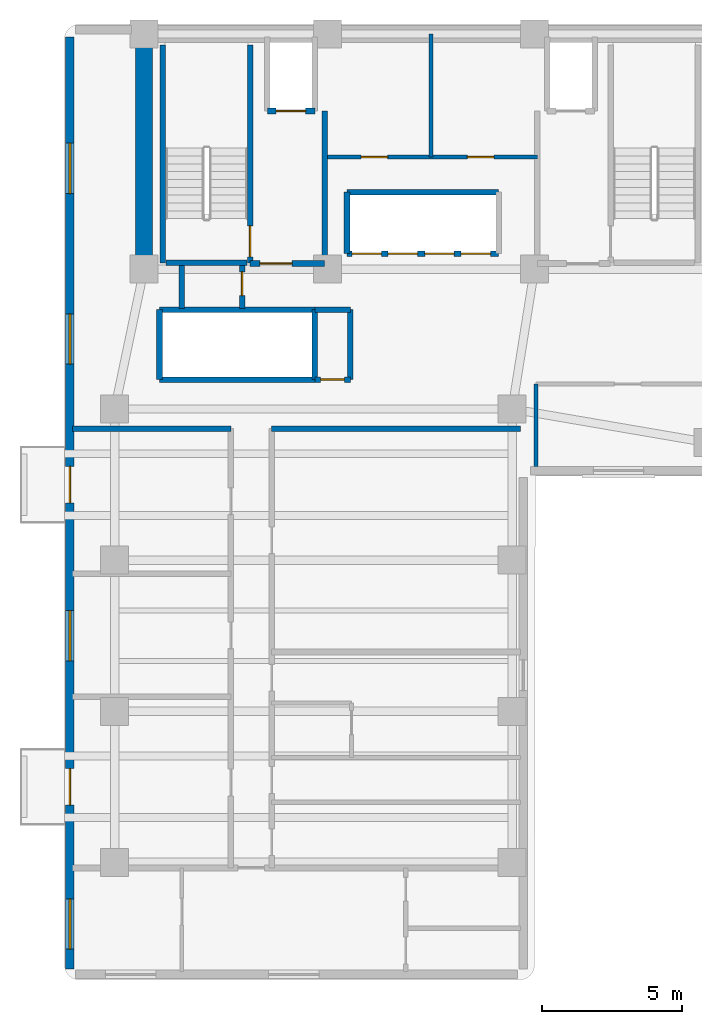
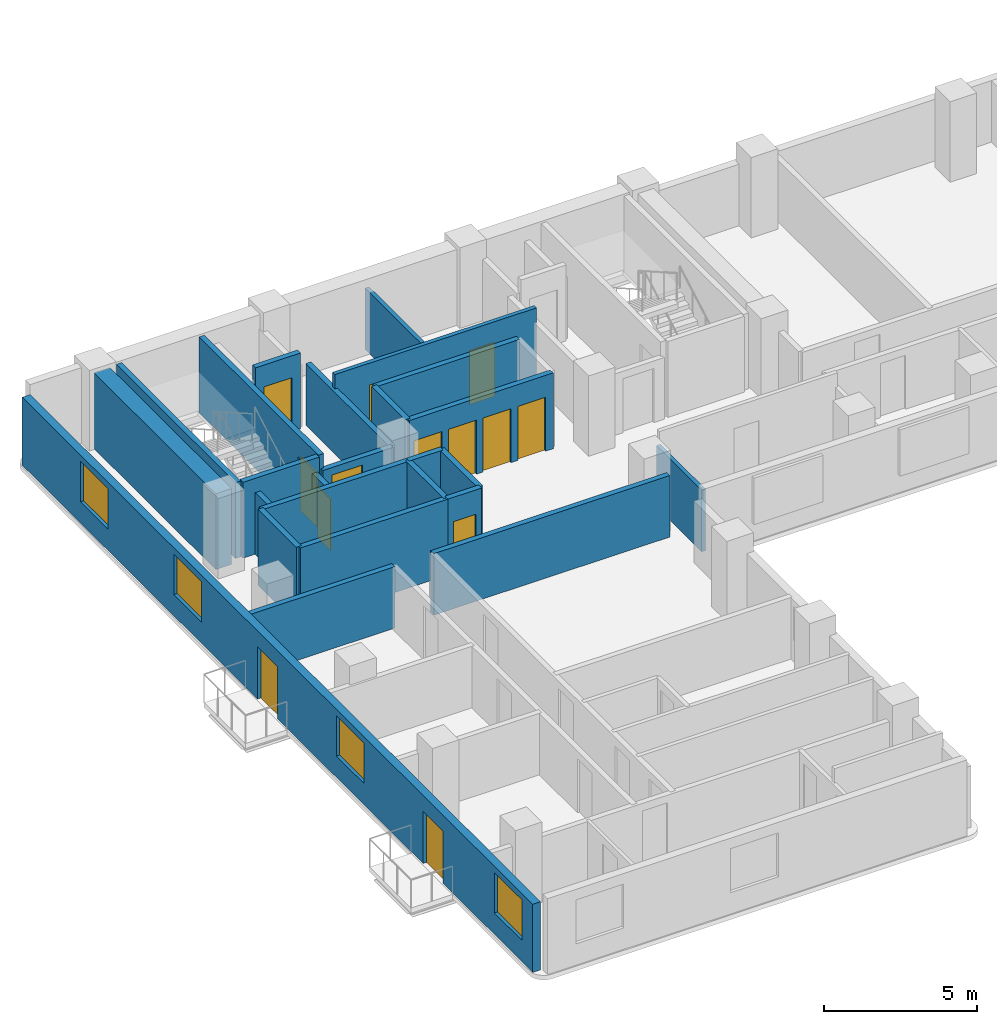
# One storey, part 3 of 7: 25 walls, 13 doors, 4 windows, 17 openings.
"""IFC4 building model written with IfcOpenShell, lengths in metres."""

from ifc_helpers import new_model, si_unit, direction, frame, frame_2d, origin, place, context, subcontext, project, spatial, rectangle, extrude, material, layer, layer_set, type_object, element, fill, save


model = new_model("IFC4")

# Units and contexts
model_context = context("Model", 3, precision=1e-05, world=origin(), true_north=direction((0.0, 1.0)))
body_context = subcontext(model_context, "Body", "Model", "MODEL_VIEW")
ifc_project = project(units=[si_unit("LENGTHUNIT", "METRE"), si_unit("AREAUNIT", "SQUARE_METRE"), si_unit("VOLUMEUNIT", "CUBIC_METRE"), si_unit("PLANEANGLEUNIT", "RADIAN"), si_unit("MASSUNIT", "GRAM", prefix="KILO")], contexts=[model_context])

# Site, building, storey
site_placement = place(None, origin())
site = spatial("IfcSite", under=ifc_project, at=site_placement, CompositionType="ELEMENT")
building_placement = place(site_placement, origin())
building = spatial("IfcBuilding", under=site, at=building_placement, Name="Kuzgunbayir Cultural Tower", CompositionType="ELEMENT")
storey_placement = place(building_placement, frame((0.0, 0.0, 129.800048828125)))
storey = spatial("IfcBuildingStorey", under=building, at=storey_placement, Name="L37", CompositionType="ELEMENT", Elevation=129.800048828125)

# Wall
ifc_material_1 = material(Name="Concrete C60/75", Category="concrete")
ifc_layer_1 = layer(ifc_material_1, 0.60009765625)
ifc_layer_set_1 = layer_set([ifc_layer_1], Name="Concrete C60/75")
wall_type_1 = type_object("IfcWallType", Name="WAL-CORE-600", PredefinedType="SHEAR", material=ifc_layer_set_1)
wall_1_placement = place(storey_placement, frame((6.449951171875, 33.800048828125, 0.0), z_axis=(0.0, 0.0, 1.0), x_axis=(0.0, 1.0, 0.0)))
element("IfcWall", 1, at=wall_1_placement, inside=storey, type_object=wall_type_1, Name="L37 T1 Core West Shear Wall", PredefinedType="SHEAR", context=body_context, shape_type="SweptSolid", body=[
    extrude(rectangle(XDim=7.949951171875, YDim=0.60009765625, at=frame_2d((3.97509765625, 0.0))), origin(), (0.0, 0.0, 1.0), 3.02001953125),
])

# Wall, openings, doors, windows
ifc_material_2 = material(Name="Anatolian Cream Limestone", Category="masonry")
ifc_layer_2 = layer(ifc_material_2, 0.300048828125)
ifc_layer_set_2 = layer_set([ifc_layer_2], Name="Anatolian Cream Limestone")
wall_type_2 = type_object("IfcWallType", Name="WAL-EXT-STONE-300", PredefinedType="STANDARD", material=ifc_layer_set_2)
wall_2_placement = place(storey_placement, frame((3.800048828125, 42.10009765625, 0.0), z_axis=(0.0, 0.0, 1.0), x_axis=(0.0, -1.0, 0.0)))
wall_2 = element("IfcWall", 2, at=wall_2_placement, inside=storey, type_object=wall_type_2, Name="L37 Wing A West Limestone Wall", PredefinedType="STANDARD", context=body_context, shape_type="SweptSolid", body=[
    extrude(rectangle(XDim=33.300048828125, YDim=0.300048828125, at=frame_2d((16.64990234375, 0.0))), origin(), (0.0, 0.0, 1.0), 2.7099609375),
])
opening_1_placement = place(wall_2_placement, frame((26.14990234375, 0.0, 0.0)))
opening_1 = element("IfcOpeningElement", 3, at=opening_1_placement, cuts=wall_2, Name="Opening BD-13", PredefinedType="OPENING", context=body_context, shape_type="SweptSolid", body=[
    extrude(rectangle(XDim=1.300048828125, YDim=2.080078125, at=frame_2d((0.64990234375, 1.0400390625))), frame((0.0, 0.16015625, 0.0), z_axis=(0.0, -1.0, 0.0), x_axis=(1.0, 0.0, 0.0)), (0.0, 0.0, 1.0), 0.320068359375),
])
opening_2_placement = place(wall_2_placement, frame((15.35009765625, 0.0, 0.0)))
opening_2 = element("IfcOpeningElement", 4, at=opening_2_placement, cuts=wall_2, Name="Opening BD-13", PredefinedType="OPENING", context=body_context, shape_type="SweptSolid", body=[
    extrude(rectangle(XDim=1.300048828125, YDim=2.080078125, at=frame_2d((0.64990234375, 1.0400390625))), frame((0.0, 0.16015625, 0.0), z_axis=(0.0, -1.0, 0.0), x_axis=(1.0, 0.0, 0.0)), (0.0, 0.0, 1.0), 0.320068359375),
])
opening_3_placement = place(wall_2_placement, frame((30.800048828125, 0.0, 0.85009765625)))
opening_3 = element("IfcOpeningElement", 5, at=opening_3_placement, cuts=wall_2, Name="Opening WH-18", PredefinedType="OPENING", context=body_context, shape_type="SweptSolid", body=[
    extrude(rectangle(XDim=1.800048828125, YDim=1.610107421875, at=frame_2d((0.89990234375, 0.80517578125))), frame((0.0, 0.16015625, 0.0), z_axis=(0.0, -1.0, 0.0), x_axis=(1.0, 0.0, 0.0)), (0.0, 0.0, 1.0), 0.320068359375),
])
opening_4_placement = place(wall_2_placement, frame((20.5, 0.0, 0.85009765625)))
opening_4 = element("IfcOpeningElement", 6, at=opening_4_placement, cuts=wall_2, Name="Opening WH-18", PredefinedType="OPENING", context=body_context, shape_type="SweptSolid", body=[
    extrude(rectangle(XDim=1.800048828125, YDim=1.610107421875, at=frame_2d((0.89990234375, 0.80517578125))), frame((0.0, 0.16015625, 0.0), z_axis=(0.0, -1.0, 0.0), x_axis=(1.0, 0.0, 0.0)), (0.0, 0.0, 1.0), 0.320068359375),
])
opening_5_placement = place(wall_2_placement, frame((9.89990234375, 0.0, 0.85009765625)))
opening_5 = element("IfcOpeningElement", 7, at=opening_5_placement, cuts=wall_2, Name="Opening WH-18", PredefinedType="OPENING", context=body_context, shape_type="SweptSolid", body=[
    extrude(rectangle(XDim=1.800048828125, YDim=1.610107421875, at=frame_2d((0.89990234375, 0.80517578125))), frame((0.0, 0.16015625, 0.0), z_axis=(0.0, -1.0, 0.0), x_axis=(1.0, 0.0, 0.0)), (0.0, 0.0, 1.0), 0.320068359375),
])
opening_6_placement = place(wall_2_placement, frame((3.800048828125, 0.0, 0.85009765625)))
opening_6 = element("IfcOpeningElement", 8, at=opening_6_placement, cuts=wall_2, Name="Opening WH-18", PredefinedType="OPENING", context=body_context, shape_type="SweptSolid", body=[
    extrude(rectangle(XDim=1.800048828125, YDim=1.610107421875, at=frame_2d((0.89990234375, 0.80517578125))), frame((0.0, 0.16015625, 0.0), z_axis=(0.0, -1.0, 0.0), x_axis=(1.0, 0.0, 0.0)), (0.0, 0.0, 1.0), 0.320068359375),
])
ifc_material_3 = material(Name="Thermally Broken Glazed Aluminium", Category="aluminium")
door_type_1 = type_object("IfcDoorType", Name="DR-BALCONY-135", OperationType="SLIDING_TO_LEFT", PredefinedType="DOOR", material=ifc_material_3)
door_1_placement = place(opening_1_placement, origin())
door_1 = element("IfcDoor", 9, at=door_1_placement, inside=storey, type_object=door_type_1, Name="L37 West Balcony Sliding Door BAL-L37-WA1", OperationType="SLIDING_TO_LEFT", OverallHeight=2.080078125, OverallWidth=1.300048828125, PredefinedType="DOOR", context=body_context, shape_type="SweptSolid", body=[
    extrude(rectangle(XDim=1.300048828125, YDim=2.080078125, at=frame_2d((0.64990234375, 1.0400390625))), frame((0.0, 0.02490234375, 0.0), z_axis=(0.0, -1.0, 0.0), x_axis=(1.0, 0.0, 0.0)), (0.0, 0.0, 1.0), 0.050048828125),
])
fill(opening_1, door_1)
door_2_placement = place(opening_2_placement, origin())
door_2 = element("IfcDoor", 10, at=door_2_placement, inside=storey, type_object=door_type_1, Name="L37 West Balcony Sliding Door BAL-L37-WA3", OperationType="SLIDING_TO_LEFT", OverallHeight=2.080078125, OverallWidth=1.300048828125, PredefinedType="DOOR", context=body_context, shape_type="SweptSolid", body=[
    extrude(rectangle(XDim=1.300048828125, YDim=2.080078125, at=frame_2d((0.64990234375, 1.0400390625))), frame((0.0, 0.02490234375, 0.0), z_axis=(0.0, -1.0, 0.0), x_axis=(1.0, 0.0, 0.0)), (0.0, 0.0, 1.0), 0.050048828125),
])
fill(opening_2, door_2)
ifc_material_4 = material(Name="Solar-Control Triple Glazing", Category="glass")
window_type = type_object("IfcWindowType", Name="WIN-HOTEL-18", PartitioningType="SINGLE_PANEL", PredefinedType="WINDOW", material=ifc_material_4)
window_1_placement = place(opening_3_placement, origin())
window_1 = element("IfcWindow", 11, at=window_1_placement, inside=storey, type_object=window_type, Name="L37 WAW Facade Window 6", OverallHeight=1.610107421875, OverallWidth=1.800048828125, PartitioningType="SINGLE_PANEL", PredefinedType="WINDOW", context=body_context, shape_type="SweptSolid", body=[
    extrude(rectangle(XDim=1.800048828125, YDim=1.610107421875, at=frame_2d((0.89990234375, 0.80517578125))), frame((0.0, 0.030029296875, 0.0), z_axis=(0.0, -1.0, 0.0), x_axis=(1.0, 0.0, 0.0)), (0.0, 0.0, 1.0), 0.06005859375),
])
fill(opening_3, window_1)
window_2_placement = place(opening_4_placement, origin())
window_2 = element("IfcWindow", 12, at=window_2_placement, inside=storey, type_object=window_type, Name="L37 WAW Facade Window 7", OverallHeight=1.610107421875, OverallWidth=1.800048828125, PartitioningType="SINGLE_PANEL", PredefinedType="WINDOW", context=body_context, shape_type="SweptSolid", body=[
    extrude(rectangle(XDim=1.800048828125, YDim=1.610107421875, at=frame_2d((0.89990234375, 0.80517578125))), frame((0.0, 0.030029296875, 0.0), z_axis=(0.0, -1.0, 0.0), x_axis=(1.0, 0.0, 0.0)), (0.0, 0.0, 1.0), 0.06005859375),
])
fill(opening_4, window_2)
window_3_placement = place(opening_5_placement, origin())
window_3 = element("IfcWindow", 13, at=window_3_placement, inside=storey, type_object=window_type, Name="L37 WAW Facade Window 8", OverallHeight=1.610107421875, OverallWidth=1.800048828125, PartitioningType="SINGLE_PANEL", PredefinedType="WINDOW", context=body_context, shape_type="SweptSolid", body=[
    extrude(rectangle(XDim=1.800048828125, YDim=1.610107421875, at=frame_2d((0.89990234375, 0.80517578125))), frame((0.0, 0.030029296875, 0.0), z_axis=(0.0, -1.0, 0.0), x_axis=(1.0, 0.0, 0.0)), (0.0, 0.0, 1.0), 0.06005859375),
])
fill(opening_5, window_3)
window_4_placement = place(opening_6_placement, origin())
window_4 = element("IfcWindow", 14, at=window_4_placement, inside=storey, type_object=window_type, Name="L37 WAW Facade Window 9", OverallHeight=1.610107421875, OverallWidth=1.800048828125, PartitioningType="SINGLE_PANEL", PredefinedType="WINDOW", context=body_context, shape_type="SweptSolid", body=[
    extrude(rectangle(XDim=1.800048828125, YDim=1.610107421875, at=frame_2d((0.89990234375, 0.80517578125))), frame((0.0, 0.030029296875, 0.0), z_axis=(0.0, -1.0, 0.0), x_axis=(1.0, 0.0, 0.0)), (0.0, 0.0, 1.0), 0.06005859375),
])
fill(opening_6, window_4)

# Wall, openings, doors
ifc_material_5 = material(Name="Acoustic Double-Stud Drywall", Category="gypsum")
ifc_layer_3 = layer(ifc_material_5, 0.14990234375)
ifc_layer_set_3 = layer_set([ifc_layer_3], Name="Acoustic Double-Stud Drywall")
wall_type_3 = type_object("IfcWallType", Name="WAL-PART-ACOUSTIC-150", PredefinedType="PARTITIONING", material=ifc_layer_set_3)
wall_3_placement = place(storey_placement, frame((12.89990234375, 37.800048828125, 0.0), z_axis=(0.0, 0.0, 1.0), x_axis=(1.0, 0.0, 0.0)))
wall_3 = element("IfcWall", 15, at=wall_3_placement, inside=storey, type_object=wall_type_3, Name="L37 Repurposed Core Suite Wall", PredefinedType="PARTITIONING", context=body_context, shape_type="SweptSolid", body=[
    extrude(rectangle(XDim=7.60009765625, YDim=0.14990234375, at=frame_2d((3.800048828125, 0.0))), origin(), (0.0, 0.0, 1.0), 3.02001953125),
])
opening_7_placement = place(wall_3_placement, frame((1.300048828125, 0.0, 0.0)))
opening_7 = element("IfcOpeningElement", 16, at=opening_7_placement, cuts=wall_3, Name="Opening DC-95", PredefinedType="OPENING", context=body_context, shape_type="SweptSolid", body=[
    extrude(rectangle(XDim=0.949951171875, YDim=2.14990234375, at=frame_2d((0.47509765625, 1.074951171875))), frame((0.0, 0.0849609375, 0.0), z_axis=(0.0, -1.0, 0.0), x_axis=(1.0, 0.0, 0.0)), (0.0, 0.0, 1.0), 0.169921875),
])
opening_8_placement = place(wall_3_placement, frame((5.10009765625, 0.0, 0.0)))
opening_8 = element("IfcOpeningElement", 17, at=opening_8_placement, cuts=wall_3, Name="Opening DC-95", PredefinedType="OPENING", context=body_context, shape_type="SweptSolid", body=[
    extrude(rectangle(XDim=0.949951171875, YDim=2.14990234375, at=frame_2d((0.47509765625, 1.074951171875))), frame((0.0, 0.0849609375, 0.0), z_axis=(0.0, -1.0, 0.0), x_axis=(1.0, 0.0, 0.0)), (0.0, 0.0, 1.0), 0.169921875),
])
ifc_material_6 = material(Name="Fire-Rated Veneered Oak Leaf", Category="wood")
door_type_2 = type_object("IfcDoorType", Name="DR-CORE-95", OperationType="NOTDEFINED", PredefinedType="DOOR", material=ifc_material_6)
door_3_placement = place(opening_7_placement, origin())
door_3 = element("IfcDoor", 18, at=door_3_placement, inside=storey, type_object=door_type_2, Name="L37 Focus Room Door", OperationType="SINGLE_SWING_LEFT", OverallHeight=2.14990234375, OverallWidth=0.949951171875, PredefinedType="DOOR", context=body_context, shape_type="SweptSolid", body=[
    extrude(rectangle(XDim=0.949951171875, YDim=2.14990234375, at=frame_2d((0.47509765625, 1.074951171875))), frame((0.0, 0.02490234375, 0.0), z_axis=(0.0, -1.0, 0.0), x_axis=(1.0, 0.0, 0.0)), (0.0, 0.0, 1.0), 0.050048828125),
])
fill(opening_7, door_3)
door_4_placement = place(opening_8_placement, origin())
door_4 = element("IfcDoor", 19, at=door_4_placement, inside=storey, type_object=door_type_2, Name="L37 Core Linen Room Door", OperationType="SINGLE_SWING_RIGHT", OverallHeight=2.14990234375, OverallWidth=0.949951171875, PredefinedType="DOOR", context=body_context, shape_type="SweptSolid", body=[
    extrude(rectangle(XDim=0.949951171875, YDim=2.14990234375, at=frame_2d((0.47509765625, 1.074951171875))), frame((0.0, 0.02490234375, 0.0), z_axis=(0.0, -1.0, 0.0), x_axis=(1.0, 0.0, 0.0)), (0.0, 0.0, 1.0), 0.050048828125),
])
fill(opening_8, door_4)

# Walls
wall_4_placement = place(storey_placement, frame((16.699951171875, 37.800048828125, 0.0), z_axis=(0.0, 0.0, 1.0), x_axis=(0.0, 1.0, 0.0)))
element("IfcWall", 20, at=wall_4_placement, inside=storey, type_object=wall_type_3, Name="L37 Core Study Partition", PredefinedType="PARTITIONING", context=body_context, shape_type="SweptSolid", body=[
    extrude(rectangle(XDim=4.39990234375, YDim=0.14990234375, at=frame_2d((2.199951171875, 0.0))), origin(), (0.0, 0.0, 1.0), 2.449951171875),
])
wall_5_placement = place(storey_placement, frame((20.449951171875, 26.75, 0.0), z_axis=(0.0, 0.0, 1.0), x_axis=(0.0, 1.0, 0.0)))
element("IfcWall", 21, at=wall_5_placement, inside=storey, type_object=wall_type_3, Name="L37 Waist Alcove West Wall", PredefinedType="PARTITIONING", context=body_context, shape_type="SweptSolid", body=[
    extrude(rectangle(XDim=2.949951171875, YDim=0.14990234375, at=frame_2d((1.47509765625, 0.0))), origin(), (0.0, 0.0, 1.0), 2.449951171875),
])
ifc_material_7 = material(Name="Aerated Concrete Blockwork", Category="masonry")
ifc_layer_4 = layer(ifc_material_7, 0.199951171875)
ifc_layer_set_4 = layer_set([ifc_layer_4], Name="Aerated Concrete Blockwork")
wall_type_4 = type_object("IfcWallType", Name="WAL-PART-FIRE-200", PredefinedType="PARTITIONING", material=ifc_layer_set_4)
wall_6_placement = place(storey_placement, frame((12.89990234375, 34.0, 0.0), z_axis=(0.0, 0.0, 1.0), x_axis=(0.0, 1.0, 0.0)))
element("IfcWall", 22, at=wall_6_placement, inside=storey, type_object=wall_type_4, Name="L37 FFL-1 Lobby East Fire Wall", PredefinedType="PARTITIONING", context=body_context, shape_type="SweptSolid", body=[
    extrude(rectangle(XDim=5.449951171875, YDim=0.199951171875, at=frame_2d((2.72509765625, 0.0))), origin(), (0.0, 0.0, 1.0), 2.449951171875),
])

# Wall, opening, door
wall_7_placement = place(storey_placement, frame((10.239990234375, 34.0, 0.0), z_axis=(0.0, 0.0, 1.0), x_axis=(1.0, 0.0, 0.0)))
wall_7 = element("IfcWall", 23, at=wall_7_placement, inside=storey, type_object=wall_type_4, Name="L37 FFL-1 Lobby South Fire Wall", PredefinedType="PARTITIONING", context=body_context, shape_type="SweptSolid", body=[
    extrude(rectangle(XDim=2.659912109375, YDim=0.199951171875, at=frame_2d((1.330078125, 0.0))), origin(), (0.0, 0.0, 1.0), 2.449951171875),
])
opening_9_placement = place(wall_7_placement, frame((0.35009765625, 0.0, 0.0)))
opening_9 = element("IfcOpeningElement", 24, at=opening_9_placement, cuts=wall_7, Name="Opening DR-FFL-90", PredefinedType="OPENING", context=body_context, shape_type="SweptSolid", body=[
    extrude(rectangle(XDim=1.14990234375, YDim=2.14990234375, at=frame_2d((0.574951171875, 1.074951171875))), frame((0.0, 0.10986328125, 0.0), z_axis=(0.0, -1.0, 0.0), x_axis=(1.0, 0.0, 0.0)), (0.0, 0.0, 1.0), 0.219970703125),
])
ifc_material_8 = material(Name="Steel S355J2", Category="steel")
door_type_3 = type_object("IfcDoorType", Name="DR-FFL-90", OperationType="NOTDEFINED", PredefinedType="DOOR", material=ifc_material_8)
door_5_placement = place(opening_9_placement, origin())
door_5 = element("IfcDoor", 25, at=door_5_placement, inside=storey, type_object=door_type_3, Name="L37 Firefighting Lobby 1 Door", OperationType="SINGLE_SWING_LEFT", OverallHeight=2.14990234375, OverallWidth=1.14990234375, PredefinedType="DOOR", context=body_context, shape_type="SweptSolid", body=[
    extrude(rectangle(XDim=1.14990234375, YDim=2.14990234375, at=frame_2d((0.574951171875, 1.074951171875))), frame((0.0, 0.02490234375, 0.0), z_axis=(0.0, -1.0, 0.0), x_axis=(1.0, 0.0, 0.0)), (0.0, 0.0, 1.0), 0.050048828125),
])
fill(opening_9, door_5)

wall_8_placement = place(storey_placement, frame((12.550048828125, 29.85009765625, 0.0), z_axis=(0.0, 0.0, 1.0), x_axis=(1.0, 0.0, 0.0)))
wall_8 = element("IfcWall", 26, at=wall_8_placement, inside=storey, type_object=wall_type_4, Name="L37 Center Core Switchgear South Wall", PredefinedType="PARTITIONING", context=body_context, shape_type="SweptSolid", body=[
    extrude(rectangle(XDim=1.27001953125, YDim=0.199951171875, at=frame_2d((0.635009765625, 0.0))), origin(), (0.0, 0.0, 1.0), 3.02001953125),
])
opening_10_placement = place(wall_8_placement, frame((0.2099609375, 0.0, 0.0)))
opening_10 = element("IfcOpeningElement", 27, at=opening_10_placement, cuts=wall_8, Name="Opening DR-RSR-60", PredefinedType="OPENING", context=body_context, shape_type="SweptSolid", body=[
    extrude(rectangle(XDim=0.85009765625, YDim=2.050048828125, at=frame_2d((0.425048828125, 1.02490234375))), frame((0.0, 0.10986328125, 0.0), z_axis=(0.0, -1.0, 0.0), x_axis=(1.0, 0.0, 0.0)), (0.0, 0.0, 1.0), 0.219970703125),
])
ifc_material_9 = material(Name="Steel Access Leaf", Category="steel")
door_type_4 = type_object("IfcDoorType", Name="DR-RISER-60", OperationType="NOTDEFINED", PredefinedType="DOOR", material=ifc_material_9)
door_6_placement = place(opening_10_placement, origin())
door_6 = element("IfcDoor", 28, at=door_6_placement, inside=storey, type_object=door_type_4, Name="L37 Electrical Switchgear Closet Door", OperationType="SINGLE_SWING_LEFT", OverallHeight=2.050048828125, OverallWidth=0.85009765625, PredefinedType="DOOR", context=body_context, shape_type="SweptSolid", body=[
    extrude(rectangle(XDim=0.85009765625, YDim=2.050048828125, at=frame_2d((0.425048828125, 1.02490234375))), frame((0.0, 0.02490234375, 0.0), z_axis=(0.0, -1.0, 0.0), x_axis=(1.0, 0.0, 0.0)), (0.0, 0.0, 1.0), 0.050048828125),
])
fill(opening_10, door_6)

# Walls
wall_9_placement = place(storey_placement, frame((13.820068359375, 29.85009765625, 0.0), z_axis=(0.0, 0.0, 1.0), x_axis=(0.0, 1.0, 0.0)))
element("IfcWall", 29, at=wall_9_placement, inside=storey, type_object=wall_type_4, Name="L37 Center Core Switchgear East Wall", PredefinedType="PARTITIONING", context=body_context, shape_type="SweptSolid", body=[
    extrude(rectangle(XDim=2.5, YDim=0.199951171875, at=frame_2d((1.25, 0.0))), origin(), (0.0, 0.0, 1.0), 3.02001953125),
])
wall_10_placement = place(storey_placement, frame((12.550048828125, 32.35009765625, 0.0), z_axis=(0.0, 0.0, 1.0), x_axis=(1.0, 0.0, 0.0)))
element("IfcWall", 30, at=wall_10_placement, inside=storey, type_object=wall_type_4, Name="L37 Center Core Switchgear North Wall", PredefinedType="PARTITIONING", context=body_context, shape_type="SweptSolid", body=[
    extrude(rectangle(XDim=1.27001953125, YDim=0.199951171875, at=frame_2d((0.635009765625, 0.0))), origin(), (0.0, 0.0, 1.0), 3.02001953125),
])
wall_11_placement = place(storey_placement, frame((7.800048828125, 32.39990234375, 0.0), z_axis=(0.0, 0.0, 1.0), x_axis=(0.0, 1.0, 0.0)))
element("IfcWall", 31, at=wall_11_placement, inside=storey, type_object=wall_type_4, Name="L37 West Core Electrical Closet West Wall", PredefinedType="PARTITIONING", context=body_context, shape_type="SweptSolid", body=[
    extrude(rectangle(XDim=1.52001953125, YDim=0.199951171875, at=frame_2d((0.760009765625, 0.0))), origin(), (0.0, 0.0, 1.0), 2.449951171875),
])

# Wall, opening, door
wall_12_placement = place(storey_placement, frame((9.949951171875, 32.39990234375, 0.0), z_axis=(0.0, 0.0, 1.0), x_axis=(0.0, 1.0, 0.0)))
wall_12 = element("IfcWall", 32, at=wall_12_placement, inside=storey, type_object=wall_type_4, Name="L37 West Core Electrical Closet East Wall", PredefinedType="PARTITIONING", context=body_context, shape_type="SweptSolid", body=[
    extrude(rectangle(XDim=1.52001953125, YDim=0.199951171875, at=frame_2d((0.760009765625, 0.0))), origin(), (0.0, 0.0, 1.0), 2.449951171875),
])
opening_11_placement = place(wall_12_placement, frame((0.449951171875, 0.0, 0.0)))
opening_11 = element("IfcOpeningElement", 33, at=opening_11_placement, cuts=wall_12, Name="Opening DR-RSR-60", PredefinedType="OPENING", context=body_context, shape_type="SweptSolid", body=[
    extrude(rectangle(XDim=0.85009765625, YDim=2.050048828125, at=frame_2d((0.425048828125, 1.02490234375))), frame((0.0, 0.10986328125, 0.0), z_axis=(0.0, -1.0, 0.0), x_axis=(1.0, 0.0, 0.0)), (0.0, 0.0, 1.0), 0.219970703125),
])
door_7_placement = place(opening_11_placement, origin())
door_7 = element("IfcDoor", 34, at=door_7_placement, inside=storey, type_object=door_type_4, Name="L37 West Core Switchgear Closet Door", OperationType="SINGLE_SWING_RIGHT", OverallHeight=2.050048828125, OverallWidth=0.85009765625, PredefinedType="DOOR", context=body_context, shape_type="SweptSolid", body=[
    extrude(rectangle(XDim=0.85009765625, YDim=2.050048828125, at=frame_2d((0.425048828125, 1.02490234375))), frame((0.0, 0.02490234375, 0.0), z_axis=(0.0, -1.0, 0.0), x_axis=(1.0, 0.0, 0.0)), (0.0, 0.0, 1.0), 0.050048828125),
])
fill(opening_11, door_7)

# Walls
wall_13_placement = place(storey_placement, frame((3.89990234375, 28.10009765625, 0.0), z_axis=(0.0, 0.0, 1.0), x_axis=(1.0, 0.0, 0.0)))
element("IfcWall", 35, at=wall_13_placement, inside=storey, type_object=wall_type_4, Name="L37 North West Partition", PredefinedType="PARTITIONING", context=body_context, shape_type="SweptSolid", body=[
    extrude(rectangle(XDim=5.650146484375, YDim=0.199951171875, at=frame_2d((2.8251953125, 0.0))), origin(), (0.0, 0.0, 1.0), 2.449951171875),
])
wall_14_placement = place(storey_placement, frame((11.010009765625, 28.10009765625, 0.0), z_axis=(0.0, 0.0, 1.0), x_axis=(1.0, 0.0, 0.0)))
element("IfcWall", 36, at=wall_14_placement, inside=storey, type_object=wall_type_4, Name="L37 North East Partition", PredefinedType="PARTITIONING", context=body_context, shape_type="SweptSolid", body=[
    extrude(rectangle(XDim=8.889892578125, YDim=0.199951171875, at=frame_2d((4.44482421875, 0.0))), origin(), (0.0, 0.0, 1.0), 2.449951171875),
])
ifc_material_10 = material(Name="Concrete C40/50", Category="concrete")
ifc_layer_5 = layer(ifc_material_10, 0.199951171875)
ifc_layer_set_5 = layer_set([ifc_layer_5], Name="Concrete C40/50")
wall_type_5 = type_object("IfcWallType", Name="WAL-SHAFT-200", PredefinedType="MOVABLE", material=ifc_layer_set_5)
for number, where, z_axis, x_axis, name in (
    (37, (7.0, 29.85009765625, 0.0), (0.0, 0.0, 1.0), (1.0, 0.0, 0.0), "L37 High-Rise Lift Shaft South Wall"),
    (38, (7.0, 32.35009765625, 0.0), (0.0, 0.0, 1.0), (1.0, 0.0, 0.0), "L37 High-Rise Lift Shaft North Wall"),
):
    element("IfcWall", number, at=place(storey_placement, frame(where, z_axis=z_axis, x_axis=x_axis)), inside=storey, type_object=wall_type_5, Name=name, PredefinedType="MOVABLE", context=body_context, shape_type="SweptSolid", body=[
        extrude(rectangle(XDim=5.550048828125, YDim=0.199951171875, at=frame_2d((2.77490234375, 0.0))), origin(), (0.0, 0.0, 1.0), 3.02001953125),
    ])
for number, where, z_axis, x_axis, name in (
    (39, (7.0, 29.85009765625, 0.0), (0.0, 0.0, 1.0), (0.0, 1.0, 0.0), "L37 High-Rise Lift Shaft West Wall"),
    (40, (12.550048828125, 29.85009765625, 0.0), (0.0, 0.0, 1.0), (0.0, 1.0, 0.0), "L37 High-Rise Lift Shaft East Wall"),
):
    element("IfcWall", number, at=place(storey_placement, frame(where, z_axis=z_axis, x_axis=x_axis)), inside=storey, type_object=wall_type_5, Name=name, PredefinedType="MOVABLE", context=body_context, shape_type="SweptSolid", body=[
        extrude(rectangle(XDim=2.5, YDim=0.199951171875, at=frame_2d((1.25, 0.0))), origin(), (0.0, 0.0, 1.0), 3.02001953125),
    ])

# Wall, opening, door
wall_15_placement = place(storey_placement, frame((10.85009765625, 39.449951171875, 0.0), z_axis=(0.0, 0.0, 1.0), x_axis=(1.0, 0.0, 0.0)))
wall_15 = element("IfcWall", 41, at=wall_15_placement, inside=storey, type_object=wall_type_5, Name="L37 FFL-1 Lift Front Wall", PredefinedType="MOVABLE", context=body_context, shape_type="SweptSolid", body=[
    extrude(rectangle(XDim=1.699951171875, YDim=0.199951171875, at=frame_2d((0.85009765625, 0.0))), origin(), (0.0, 0.0, 1.0), 3.02001953125),
])
opening_12_placement = place(wall_15_placement, frame((0.320068359375, 0.0, 0.0)))
opening_12 = element("IfcOpeningElement", 42, at=opening_12_placement, cuts=wall_15, Name="Opening LD", PredefinedType="OPENING", context=body_context, shape_type="SweptSolid", body=[
    extrude(rectangle(XDim=1.050048828125, YDim=2.14990234375, at=frame_2d((0.52490234375, 1.074951171875))), frame((0.0, 0.10986328125, 0.0), z_axis=(0.0, -1.0, 0.0), x_axis=(1.0, 0.0, 0.0)), (0.0, 0.0, 1.0), 0.219970703125),
])
ifc_material_11 = material(Name="Brushed Stainless Steel", Category="steel")
door_type_5 = type_object("IfcDoorType", Name="DR-LIFT-LANDING", OperationType="SLIDING_TO_LEFT", PredefinedType="DOOR", material=ifc_material_11)
door_8_placement = place(opening_12_placement, origin())
door_8 = element("IfcDoor", 43, at=door_8_placement, inside=storey, type_object=door_type_5, Name="L37 Lift FFL-1 Landing Door", OperationType="SLIDING_TO_LEFT", OverallHeight=2.14990234375, OverallWidth=1.050048828125, PredefinedType="DOOR", context=body_context, shape_type="SweptSolid", body=[
    extrude(rectangle(XDim=1.050048828125, YDim=2.14990234375, at=frame_2d((0.52490234375, 1.074951171875))), frame((0.0, 0.02490234375, 0.0), z_axis=(0.0, -1.0, 0.0), x_axis=(1.0, 0.0, 0.0)), (0.0, 0.0, 1.0), 0.050048828125),
])
fill(opening_12, door_8)

# Wall, openings, doors
wall_16_placement = place(storey_placement, frame((13.699951171875, 34.35009765625, 0.0), z_axis=(0.0, 0.0, 1.0), x_axis=(1.0, 0.0, 0.0)))
wall_16 = element("IfcWall", 44, at=wall_16_placement, inside=storey, type_object=wall_type_5, Name="L37 Mid-Rise Lift Front Wall", PredefinedType="MOVABLE", context=body_context, shape_type="SweptSolid", body=[
    extrude(rectangle(XDim=5.420166015625, YDim=0.199951171875, at=frame_2d((2.7099609375, 0.0))), origin(), (0.0, 0.0, 1.0), 3.02001953125),
])
opening_13_placement = place(wall_16_placement, frame((0.179931640625, 0.0, 0.0)))
opening_13 = element("IfcOpeningElement", 45, at=opening_13_placement, cuts=wall_16, Name="Opening LD", PredefinedType="OPENING", context=body_context, shape_type="SweptSolid", body=[
    extrude(rectangle(XDim=1.050048828125, YDim=2.14990234375, at=frame_2d((0.52490234375, 1.074951171875))), frame((0.0, 0.10986328125, 0.0), z_axis=(0.0, -1.0, 0.0), x_axis=(1.0, 0.0, 0.0)), (0.0, 0.0, 1.0), 0.219970703125),
])
opening_14_placement = place(wall_16_placement, frame((1.469970703125, 0.0, 0.0)))
opening_14 = element("IfcOpeningElement", 46, at=opening_14_placement, cuts=wall_16, Name="Opening LD", PredefinedType="OPENING", context=body_context, shape_type="SweptSolid", body=[
    extrude(rectangle(XDim=1.050048828125, YDim=2.14990234375, at=frame_2d((0.52490234375, 1.074951171875))), frame((0.0, 0.10986328125, 0.0), z_axis=(0.0, -1.0, 0.0), x_axis=(1.0, 0.0, 0.0)), (0.0, 0.0, 1.0), 0.219970703125),
])
opening_15_placement = place(wall_16_placement, frame((2.780029296875, 0.0, 0.0)))
opening_15 = element("IfcOpeningElement", 47, at=opening_15_placement, cuts=wall_16, Name="Opening LD", PredefinedType="OPENING", context=body_context, shape_type="SweptSolid", body=[
    extrude(rectangle(XDim=1.050048828125, YDim=2.14990234375, at=frame_2d((0.52490234375, 1.074951171875))), frame((0.0, 0.10986328125, 0.0), z_axis=(0.0, -1.0, 0.0), x_axis=(1.0, 0.0, 0.0)), (0.0, 0.0, 1.0), 0.219970703125),
])
opening_16_placement = place(wall_16_placement, frame((4.080078125, 0.0, 0.0)))
opening_16 = element("IfcOpeningElement", 48, at=opening_16_placement, cuts=wall_16, Name="Opening LD", PredefinedType="OPENING", context=body_context, shape_type="SweptSolid", body=[
    extrude(rectangle(XDim=1.050048828125, YDim=2.14990234375, at=frame_2d((0.52490234375, 1.074951171875))), frame((0.0, 0.10986328125, 0.0), z_axis=(0.0, -1.0, 0.0), x_axis=(1.0, 0.0, 0.0)), (0.0, 0.0, 1.0), 0.219970703125),
])
door_9_placement = place(opening_13_placement, origin())
door_9 = element("IfcDoor", 49, at=door_9_placement, inside=storey, type_object=door_type_5, Name="L37 Lift PM-1 Landing Door", OperationType="SLIDING_TO_LEFT", OverallHeight=2.14990234375, OverallWidth=1.050048828125, PredefinedType="DOOR", context=body_context, shape_type="SweptSolid", body=[
    extrude(rectangle(XDim=1.050048828125, YDim=2.14990234375, at=frame_2d((0.52490234375, 1.074951171875))), frame((0.0, 0.02490234375, 0.0), z_axis=(0.0, -1.0, 0.0), x_axis=(1.0, 0.0, 0.0)), (0.0, 0.0, 1.0), 0.050048828125),
])
fill(opening_13, door_9)
door_10_placement = place(opening_14_placement, origin())
door_10 = element("IfcDoor", 50, at=door_10_placement, inside=storey, type_object=door_type_5, Name="L37 Lift PM-2 Landing Door", OperationType="SLIDING_TO_LEFT", OverallHeight=2.14990234375, OverallWidth=1.050048828125, PredefinedType="DOOR", context=body_context, shape_type="SweptSolid", body=[
    extrude(rectangle(XDim=1.050048828125, YDim=2.14990234375, at=frame_2d((0.52490234375, 1.074951171875))), frame((0.0, 0.02490234375, 0.0), z_axis=(0.0, -1.0, 0.0), x_axis=(1.0, 0.0, 0.0)), (0.0, 0.0, 1.0), 0.050048828125),
])
fill(opening_14, door_10)
door_11_placement = place(opening_15_placement, origin())
door_11 = element("IfcDoor", 51, at=door_11_placement, inside=storey, type_object=door_type_5, Name="L37 Lift PM-3 Landing Door", OperationType="SLIDING_TO_LEFT", OverallHeight=2.14990234375, OverallWidth=1.050048828125, PredefinedType="DOOR", context=body_context, shape_type="SweptSolid", body=[
    extrude(rectangle(XDim=1.050048828125, YDim=2.14990234375, at=frame_2d((0.52490234375, 1.074951171875))), frame((0.0, 0.02490234375, 0.0), z_axis=(0.0, -1.0, 0.0), x_axis=(1.0, 0.0, 0.0)), (0.0, 0.0, 1.0), 0.050048828125),
])
fill(opening_15, door_11)
door_12_placement = place(opening_16_placement, origin())
door_12 = element("IfcDoor", 52, at=door_12_placement, inside=storey, type_object=door_type_5, Name="L37 Lift PM-4 Landing Door", OperationType="SLIDING_TO_LEFT", OverallHeight=2.14990234375, OverallWidth=1.050048828125, PredefinedType="DOOR", context=body_context, shape_type="SweptSolid", body=[
    extrude(rectangle(XDim=1.050048828125, YDim=2.14990234375, at=frame_2d((0.52490234375, 1.074951171875))), frame((0.0, 0.02490234375, 0.0), z_axis=(0.0, -1.0, 0.0), x_axis=(1.0, 0.0, 0.0)), (0.0, 0.0, 1.0), 0.050048828125),
])
fill(opening_16, door_12)

# Walls
wall_17_placement = place(storey_placement, frame((13.699951171875, 36.550048828125, 0.0), z_axis=(0.0, 0.0, 1.0), x_axis=(1.0, 0.0, 0.0)))
element("IfcWall", 53, at=wall_17_placement, inside=storey, type_object=wall_type_5, Name="L37 Mid-Rise Lift Shaft North Wall", PredefinedType="MOVABLE", context=body_context, shape_type="SweptSolid", body=[
    extrude(rectangle(XDim=5.420166015625, YDim=0.199951171875, at=frame_2d((2.7099609375, 0.0))), origin(), (0.0, 0.0, 1.0), 3.02001953125),
])
wall_18_placement = place(storey_placement, frame((13.699951171875, 34.35009765625, 0.0), z_axis=(0.0, 0.0, 1.0), x_axis=(0.0, 1.0, 0.0)))
element("IfcWall", 54, at=wall_18_placement, inside=storey, type_object=wall_type_5, Name="L37 Mid-Rise Lift Shaft West Wall", PredefinedType="MOVABLE", context=body_context, shape_type="SweptSolid", body=[
    extrude(rectangle(XDim=2.199951171875, YDim=0.199951171875, at=frame_2d((1.10009765625, 0.0))), origin(), (0.0, 0.0, 1.0), 3.02001953125),
])
ifc_layer_6 = layer(ifc_material_10, 0.199951171875)
ifc_layer_set_6 = layer_set([ifc_layer_6], Name="Concrete C40/50")
wall_type_6 = type_object("IfcWallType", Name="WAL-STAIR-RC-200", PredefinedType="SHEAR", material=ifc_layer_set_6)
wall_19_placement = place(storey_placement, frame((7.1201171875, 34.02001953125, 0.0), z_axis=(0.0, 0.0, 1.0), x_axis=(0.0, 1.0, 0.0)))
element("IfcWall", 55, at=wall_19_placement, inside=storey, type_object=wall_type_6, Name="L37 Stair ST-1 West Structural Wall", PredefinedType="SHEAR", context=body_context, shape_type="SweptSolid", body=[
    extrude(rectangle(XDim=7.780029296875, YDim=0.199951171875, at=frame_2d((3.89013671875, 0.0))), origin(), (0.0, 0.0, 1.0), 3.02001953125),
])

# Wall, opening, door
wall_20_placement = place(storey_placement, frame((10.239990234375, 34.02001953125, 0.0), z_axis=(0.0, 0.0, 1.0), x_axis=(0.0, 1.0, 0.0)))
wall_20 = element("IfcWall", 56, at=wall_20_placement, inside=storey, type_object=wall_type_6, Name="L37 Stair ST-1 East Structural Wall", PredefinedType="SHEAR", context=body_context, shape_type="SweptSolid", body=[
    extrude(rectangle(XDim=7.780029296875, YDim=0.199951171875, at=frame_2d((3.89013671875, 0.0))), origin(), (0.0, 0.0, 1.0), 3.02001953125),
])
opening_17_placement = place(wall_20_placement, frame((0.219970703125, 0.0, 0.0)))
opening_17 = element("IfcOpeningElement", 57, at=opening_17_placement, cuts=wall_20, Name="Opening DR-STAIR-90", PredefinedType="OPENING", context=body_context, shape_type="SweptSolid", body=[
    extrude(rectangle(XDim=1.10009765625, YDim=2.14990234375, at=frame_2d((0.550048828125, 1.074951171875))), frame((0.0, 0.10986328125, 0.0), z_axis=(0.0, -1.0, 0.0), x_axis=(1.0, 0.0, 0.0)), (0.0, 0.0, 1.0), 0.219970703125),
])
door_type_6 = type_object("IfcDoorType", Name="DR-STAIR-90", OperationType="NOTDEFINED", PredefinedType="DOOR", material=ifc_material_8)
door_13_placement = place(opening_17_placement, origin())
door_13 = element("IfcDoor", 58, at=door_13_placement, inside=storey, type_object=door_type_6, Name="L37 Stair ST-1 Fire Door", OperationType="SINGLE_SWING_LEFT", OverallHeight=2.14990234375, OverallWidth=1.10009765625, PredefinedType="DOOR", context=body_context, shape_type="SweptSolid", body=[
    extrude(rectangle(XDim=1.10009765625, YDim=2.14990234375, at=frame_2d((0.550048828125, 1.074951171875))), frame((0.0, 0.02490234375, 0.0), z_axis=(0.0, -1.0, 0.0), x_axis=(1.0, 0.0, 0.0)), (0.0, 0.0, 1.0), 0.050048828125),
])
fill(opening_17, door_13)

# Wall
wall_21_placement = place(storey_placement, frame((7.239990234375, 34.02001953125, 0.0), z_axis=(0.0, 0.0, 1.0), x_axis=(1.0, 0.0, 0.0)))
element("IfcWall", 59, at=wall_21_placement, inside=storey, type_object=wall_type_6, Name="L37 Stair ST-1 South Structural Wall", PredefinedType="SHEAR", context=body_context, shape_type="SweptSolid", body=[
    extrude(rectangle(XDim=2.880126953125, YDim=0.199951171875, at=frame_2d((1.43994140625, 0.0))), origin(), (0.0, 0.0, 1.0), 3.02001953125),
])

save(model, "model.ifc")
